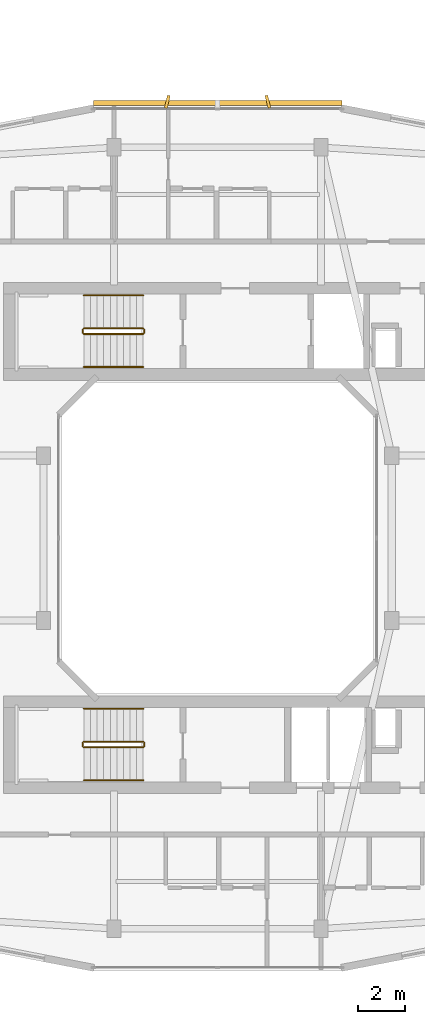
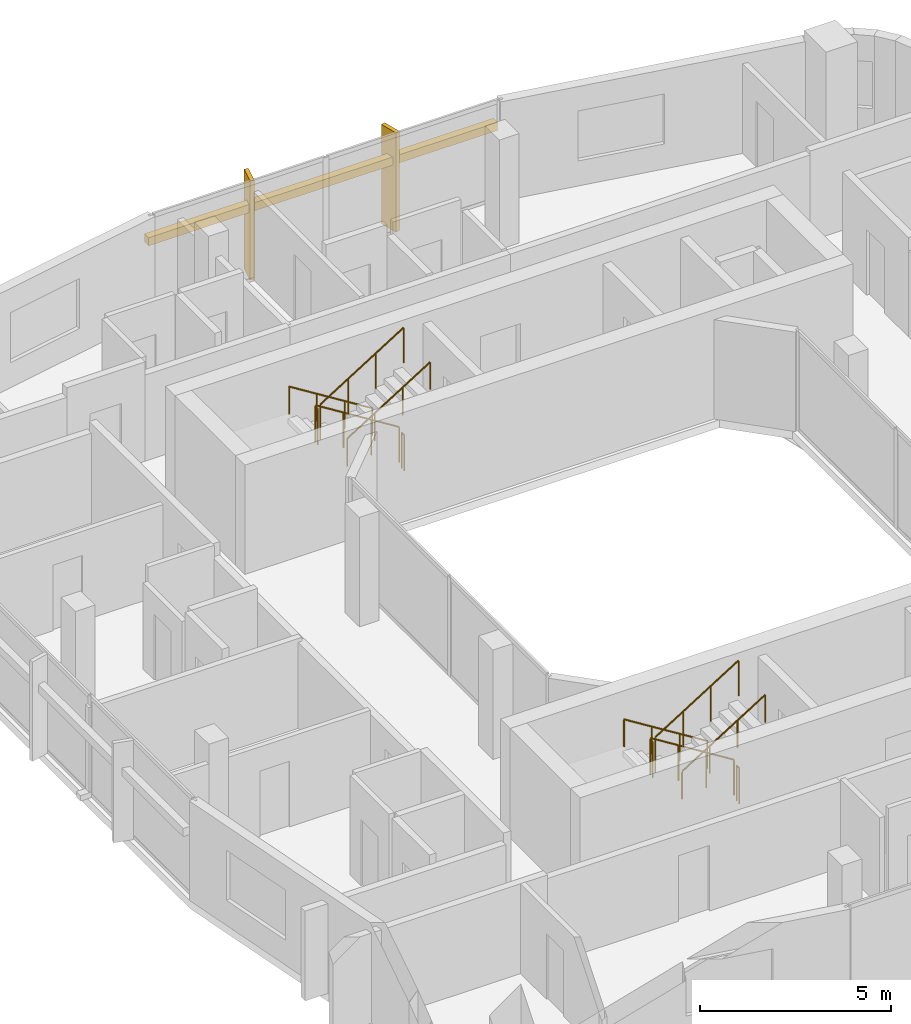
# One storey, part 25 of 25: 12 railings, 3 shading devices.
"""IFC4 building model written with IfcOpenShell, lengths in metres."""

from ifc_helpers import new_model, si_unit, derived_unit, direction, frame, origin, origin_2d, place, context, subcontext, project, spatial, rectangle, circle, extrude, material, type_object, element, save


model = new_model("IFC4")

# Units and contexts
model_context = context("Model", 3, precision=1e-05, world=origin(), true_north=direction((0.0, 1.0)))
body_context = subcontext(model_context, "Body", "Model", "MODEL_VIEW")
ifc_project = project(units=[si_unit("LENGTHUNIT", "METRE"), si_unit("AREAUNIT", "SQUARE_METRE"), si_unit("VOLUMEUNIT", "CUBIC_METRE"), si_unit("PLANEANGLEUNIT", "RADIAN"), si_unit("MASSUNIT", "GRAM", prefix="KILO"), derived_unit("THERMALTRANSMITTANCEUNIT", [(si_unit("POWERUNIT", "WATT"), 1), (si_unit("LENGTHUNIT", "METRE"), -2), (si_unit("THERMODYNAMICTEMPERATUREUNIT", "KELVIN"), -1)])], contexts=[model_context])

# Site, building, storey
site_placement = place(None, origin())
site = spatial("IfcSite", under=ifc_project, at=site_placement, CompositionType="ELEMENT")
building_placement = place(site_placement, origin())
building = spatial("IfcBuilding", under=site, at=building_placement, Name="Kivonza Crest Hotel", CompositionType="ELEMENT")
storey_placement = place(building_placement, frame((0.0, 0.0, 87.0)))
storey = spatial("IfcBuildingStorey", under=building, at=storey_placement, Name="L23", CompositionType="ELEMENT", Elevation=87.0)

# Railings
ifc_material_1 = material(Name="Brushed stainless steel handrail", Category="steel")
railing_type_1 = type_object("IfcRailingType", Name="RL-HAND-900", PredefinedType="HANDRAIL", material=ifc_material_1)
railing_1_placement = place(storey_placement, frame((73.840087890625, 35.31005859375, 0.175048828125)))
element("IfcRailing", 1, at=railing_1_placement, inside=storey, type_object=railing_type_1, Name="L23 ST-T2-N stair handrail 1", PredefinedType="HANDRAIL", context=body_context, shape_type="SweptSolid", body=[
    extrude(circle(Radius=0.02392578125, at=origin_2d()), frame((0.0, 0.0, 0.8759765625), z_axis=(-0.848007534815, 0.0, 0.529984170421), x_axis=(0.0, -1.0, 0.0)), (0.0, 0.0, 1.0), 2.9716796875),
    extrude(circle(Radius=0.02099609375, at=origin_2d()), origin(), (0.0, 0.0, 1.0), 0.851806640625),
    extrude(circle(Radius=0.02099609375, at=origin_2d()), frame((-0.840087890625, 0.0, 0.52490234375)), (0.0, 0.0, 1.0), 0.851806640625),
    extrude(circle(Radius=0.02099609375, at=origin_2d()), frame((-1.679931640625, 0.0, 1.050048828125)), (0.0, 0.0, 1.0), 0.851806640625),
    extrude(circle(Radius=0.02099609375, at=origin_2d()), frame((-2.52001953125, 0.0, 1.574951171875)), (0.0, 0.0, 1.0), 0.851806640625),
])
railing_2_placement = place(storey_placement, frame((71.320068359375, 32.27001953125, 1.925048828125)))
element("IfcRailing", 2, at=railing_2_placement, inside=storey, type_object=railing_type_1, Name="L23 ST-T2-N stair handrail 2", PredefinedType="HANDRAIL", context=body_context, shape_type="SweptSolid", body=[
    extrude(circle(Radius=0.02392578125, at=origin_2d()), frame((0.0, 0.0, 0.8759765625), z_axis=(0.848007534815, 0.0, 0.529984170421), x_axis=(0.0, 1.0, 0.0)), (0.0, 0.0, 1.0), 2.9716796875),
    extrude(circle(Radius=0.02099609375, at=origin_2d()), origin(), (0.0, 0.0, 1.0), 0.851806640625),
    extrude(circle(Radius=0.02099609375, at=origin_2d()), frame((0.840087890625, 0.0, 0.52490234375)), (0.0, 0.0, 1.0), 0.851806640625),
    extrude(circle(Radius=0.02099609375, at=origin_2d()), frame((1.679931640625, 0.0, 1.050048828125)), (0.0, 0.0, 1.0), 0.851806640625),
    extrude(circle(Radius=0.02099609375, at=origin_2d()), frame((2.52001953125, 0.0, 1.574951171875)), (0.0, 0.0, 1.0), 0.851806640625),
])
railing_3_placement = place(storey_placement, frame((73.840087890625, 17.75, 0.175048828125)))
element("IfcRailing", 3, at=railing_3_placement, inside=storey, type_object=railing_type_1, Name="L23 ST-T2-S stair handrail 1", PredefinedType="HANDRAIL", context=body_context, shape_type="SweptSolid", body=[
    extrude(circle(Radius=0.02392578125, at=origin_2d()), frame((0.0, 0.0, 0.8759765625), z_axis=(-0.848007534815, 0.0, 0.529984170421), x_axis=(0.0, -1.0, 0.0)), (0.0, 0.0, 1.0), 2.9716796875),
    extrude(circle(Radius=0.02099609375, at=origin_2d()), origin(), (0.0, 0.0, 1.0), 0.851806640625),
    extrude(circle(Radius=0.02099609375, at=origin_2d()), frame((-0.840087890625, 0.0, 0.52490234375)), (0.0, 0.0, 1.0), 0.851806640625),
    extrude(circle(Radius=0.02099609375, at=origin_2d()), frame((-1.679931640625, 0.0, 1.050048828125)), (0.0, 0.0, 1.0), 0.851806640625),
    extrude(circle(Radius=0.02099609375, at=origin_2d()), frame((-2.52001953125, 0.0, 1.574951171875)), (0.0, 0.0, 1.0), 0.851806640625),
])
railing_4_placement = place(storey_placement, frame((71.320068359375, 14.7099609375, 1.925048828125)))
element("IfcRailing", 4, at=railing_4_placement, inside=storey, type_object=railing_type_1, Name="L23 ST-T2-S stair handrail 2", PredefinedType="HANDRAIL", context=body_context, shape_type="SweptSolid", body=[
    extrude(circle(Radius=0.02392578125, at=origin_2d()), frame((0.0, 0.0, 0.8759765625), z_axis=(0.848007534815, 0.0, 0.529984170421), x_axis=(0.0, 1.0, 0.0)), (0.0, 0.0, 1.0), 2.9716796875),
    extrude(circle(Radius=0.02099609375, at=origin_2d()), origin(), (0.0, 0.0, 1.0), 0.851806640625),
    extrude(circle(Radius=0.02099609375, at=origin_2d()), frame((0.840087890625, 0.0, 0.52490234375)), (0.0, 0.0, 1.0), 0.851806640625),
    extrude(circle(Radius=0.02099609375, at=origin_2d()), frame((1.679931640625, 0.0, 1.050048828125)), (0.0, 0.0, 1.0), 0.851806640625),
    extrude(circle(Radius=0.02099609375, at=origin_2d()), frame((2.52001953125, 0.0, 1.574951171875)), (0.0, 0.0, 1.0), 0.851806640625),
])
ifc_material_2 = material(Name="Painted steel balustrade", Category="steel")
railing_type_2 = type_object("IfcRailingType", Name="RL-STAIR-1150", PredefinedType="BALUSTRADE", material=ifc_material_2)
railing_5_placement = place(storey_placement, frame((73.840087890625, 33.909912109375, 0.175048828125)))
element("IfcRailing", 5, at=railing_5_placement, inside=storey, type_object=railing_type_2, Name="L23 ST-T2-N stair guard 1", PredefinedType="BALUSTRADE", context=body_context, shape_type="SweptSolid", body=[
    extrude(circle(Radius=0.02392578125, at=origin_2d()), frame((0.0, 0.0, 1.1259765625), z_axis=(-0.848007534815, 0.0, 0.529984170421), x_axis=(0.0, -1.0, 0.0)), (0.0, 0.0, 1.0), 2.9716796875),
    extrude(circle(Radius=0.02099609375, at=origin_2d()), origin(), (0.0, 0.0, 1.0), 1.101806640625),
    extrude(circle(Radius=0.02099609375, at=origin_2d()), frame((-0.840087890625, 0.0, 0.52490234375)), (0.0, 0.0, 1.0), 1.101806640625),
    extrude(circle(Radius=0.02099609375, at=origin_2d()), frame((-1.679931640625, 0.0, 1.050048828125)), (0.0, 0.0, 1.0), 1.101806640625),
    extrude(circle(Radius=0.02099609375, at=origin_2d()), frame((-2.52001953125, 0.0, 1.574951171875)), (0.0, 0.0, 1.0), 1.101806640625),
])
railing_6_placement = place(storey_placement, frame((71.27001953125, 33.860107421875, 1.75)))
element("IfcRailing", 6, at=railing_6_placement, inside=storey, type_object=railing_type_2, Name="L23 ST-T2-N stair guard 2", PredefinedType="BALUSTRADE", context=body_context, shape_type="SweptSolid", body=[
    extrude(circle(Radius=0.02392578125, at=origin_2d()), frame((0.0, 0.0, 1.1259765625), z_axis=(0.0, -1.0, 0.0), x_axis=(1.0, 0.0, 0.0)), (0.0, 0.0, 1.0), 0.14013671875),
    extrude(circle(Radius=0.02099609375, at=origin_2d()), origin(), (0.0, 0.0, 1.0), 1.101806640625),
    extrude(circle(Radius=0.02099609375, at=origin_2d()), frame((0.0, -0.14013671875, 0.0)), (0.0, 0.0, 1.0), 1.101806640625),
])
railing_7_placement = place(storey_placement, frame((71.320068359375, 33.669921875, 1.925048828125)))
element("IfcRailing", 7, at=railing_7_placement, inside=storey, type_object=railing_type_2, Name="L23 ST-T2-N stair guard 3", PredefinedType="BALUSTRADE", context=body_context, shape_type="SweptSolid", body=[
    extrude(circle(Radius=0.02392578125, at=origin_2d()), frame((0.0, 0.0, 1.1259765625), z_axis=(0.848007534815, 0.0, 0.529984170421), x_axis=(0.0, 1.0, 0.0)), (0.0, 0.0, 1.0), 2.9716796875),
    extrude(circle(Radius=0.02099609375, at=origin_2d()), origin(), (0.0, 0.0, 1.0), 1.101806640625),
    extrude(circle(Radius=0.02099609375, at=origin_2d()), frame((0.840087890625, 0.0, 0.52490234375)), (0.0, 0.0, 1.0), 1.101806640625),
    extrude(circle(Radius=0.02099609375, at=origin_2d()), frame((1.679931640625, 0.0, 1.050048828125)), (0.0, 0.0, 1.0), 1.101806640625),
    extrude(circle(Radius=0.02099609375, at=origin_2d()), frame((2.52001953125, 0.0, 1.574951171875)), (0.0, 0.0, 1.0), 1.101806640625),
])
railing_8_placement = place(storey_placement, frame((73.889892578125, 33.860107421875, 0.0)))
element("IfcRailing", 8, at=railing_8_placement, inside=storey, type_object=railing_type_2, Name="L23 ST-T2-N stair guard 4", PredefinedType="BALUSTRADE", context=body_context, shape_type="SweptSolid", body=[
    extrude(circle(Radius=0.02392578125, at=origin_2d()), frame((0.0, 0.0, 1.1259765625), z_axis=(0.0, -1.0, 0.0), x_axis=(1.0, 0.0, 0.0)), (0.0, 0.0, 1.0), 0.14013671875),
    extrude(circle(Radius=0.02099609375, at=origin_2d()), origin(), (0.0, 0.0, 1.0), 1.101806640625),
    extrude(circle(Radius=0.02099609375, at=origin_2d()), frame((0.0, -0.14013671875, 0.0)), (0.0, 0.0, 1.0), 1.101806640625),
])
railing_9_placement = place(storey_placement, frame((73.840087890625, 16.35009765625, 0.175048828125)))
element("IfcRailing", 9, at=railing_9_placement, inside=storey, type_object=railing_type_2, Name="L23 ST-T2-S stair guard 1", PredefinedType="BALUSTRADE", context=body_context, shape_type="SweptSolid", body=[
    extrude(circle(Radius=0.02392578125, at=origin_2d()), frame((0.0, 0.0, 1.1259765625), z_axis=(-0.848007534815, 0.0, 0.529984170421), x_axis=(0.0, -1.0, 0.0)), (0.0, 0.0, 1.0), 2.9716796875),
    extrude(circle(Radius=0.02099609375, at=origin_2d()), origin(), (0.0, 0.0, 1.0), 1.101806640625),
    extrude(circle(Radius=0.02099609375, at=origin_2d()), frame((-0.840087890625, 0.0, 0.52490234375)), (0.0, 0.0, 1.0), 1.101806640625),
    extrude(circle(Radius=0.02099609375, at=origin_2d()), frame((-1.679931640625, 0.0, 1.050048828125)), (0.0, 0.0, 1.0), 1.101806640625),
    extrude(circle(Radius=0.02099609375, at=origin_2d()), frame((-2.52001953125, 0.0, 1.574951171875)), (0.0, 0.0, 1.0), 1.101806640625),
])
railing_10_placement = place(storey_placement, frame((71.27001953125, 16.300048828125, 1.75)))
element("IfcRailing", 10, at=railing_10_placement, inside=storey, type_object=railing_type_2, Name="L23 ST-T2-S stair guard 2", PredefinedType="BALUSTRADE", context=body_context, shape_type="SweptSolid", body=[
    extrude(circle(Radius=0.02392578125, at=origin_2d()), frame((0.0, 0.0, 1.1259765625), z_axis=(0.0, -1.0, 0.0), x_axis=(1.0, 0.0, 0.0)), (0.0, 0.0, 1.0), 0.14013671875),
    extrude(circle(Radius=0.02099609375, at=origin_2d()), origin(), (0.0, 0.0, 1.0), 1.101806640625),
    extrude(circle(Radius=0.02099609375, at=origin_2d()), frame((0.0, -0.14013671875, 0.0)), (0.0, 0.0, 1.0), 1.101806640625),
])
railing_11_placement = place(storey_placement, frame((71.320068359375, 16.110107421875, 1.925048828125)))
element("IfcRailing", 11, at=railing_11_placement, inside=storey, type_object=railing_type_2, Name="L23 ST-T2-S stair guard 3", PredefinedType="BALUSTRADE", context=body_context, shape_type="SweptSolid", body=[
    extrude(circle(Radius=0.02392578125, at=origin_2d()), frame((0.0, 0.0, 1.1259765625), z_axis=(0.848007534815, 0.0, 0.529984170421), x_axis=(0.0, 1.0, 0.0)), (0.0, 0.0, 1.0), 2.9716796875),
    extrude(circle(Radius=0.02099609375, at=origin_2d()), origin(), (0.0, 0.0, 1.0), 1.101806640625),
    extrude(circle(Radius=0.02099609375, at=origin_2d()), frame((0.840087890625, 0.0, 0.52490234375)), (0.0, 0.0, 1.0), 1.101806640625),
    extrude(circle(Radius=0.02099609375, at=origin_2d()), frame((1.679931640625, 0.0, 1.050048828125)), (0.0, 0.0, 1.0), 1.101806640625),
    extrude(circle(Radius=0.02099609375, at=origin_2d()), frame((2.52001953125, 0.0, 1.574951171875)), (0.0, 0.0, 1.0), 1.101806640625),
])
railing_12_placement = place(storey_placement, frame((73.889892578125, 16.300048828125, 0.0)))
element("IfcRailing", 12, at=railing_12_placement, inside=storey, type_object=railing_type_2, Name="L23 ST-T2-S stair guard 4", PredefinedType="BALUSTRADE", context=body_context, shape_type="SweptSolid", body=[
    extrude(circle(Radius=0.02392578125, at=origin_2d()), frame((0.0, 0.0, 1.1259765625), z_axis=(0.0, -1.0, 0.0), x_axis=(1.0, 0.0, 0.0)), (0.0, 0.0, 1.0), 0.14013671875),
    extrude(circle(Radius=0.02099609375, at=origin_2d()), origin(), (0.0, 0.0, 1.0), 1.101806640625),
    extrude(circle(Radius=0.02099609375, at=origin_2d()), frame((0.0, -0.14013671875, 0.0)), (0.0, 0.0, 1.0), 1.101806640625),
])

# Shading devices
ifc_material_3 = material(Name="Kiln-fired Nairobi red-ochre terracotta", Category="masonry")
shading_device_type_1 = type_object("IfcShadingDeviceType", Name="SH-BAGUETTE-300", PredefinedType="USERDEFINED", material=ifc_material_3)
shading_device_placement = place(storey_placement, frame((77.0, 43.47998046875, 2.09619140625), z_axis=(0.0, 0.0, 1.0), x_axis=(-1.0, 0.0, 0.0)))
element("IfcShadingDevice", 13, at=shading_device_placement, inside=storey, type_object=shading_device_type_1, Name="L23 terracotta baguette screen CW-T2-L23-26", ObjectType="BAGUETTE", PredefinedType="USERDEFINED", context=body_context, shape_type="SweptSolid", body=[
    extrude(rectangle(XDim=10.56005859375, YDim=0.219970703125, at=origin_2d()), origin(), (0.0, 0.0, 1.0), 0.260009765625),
])
ifc_material_4 = material(Name="Kiln-fired terracotta over extruded aluminium spine", Category="masonry")
shading_device_type_2 = type_object("IfcShadingDeviceType", Name="SH-FIN-550", PredefinedType="USERDEFINED", material=ifc_material_4)
for number, where, z_axis, x_axis, name in (
    (14, (79.135986328125, 43.5400390625, 0.0), (0.0, 0.0, 1.0), (-0.970295726276, -0.2419218956, 0.0), "L23 vertical solar shading fin CW-T2-L23-26-1"),
    (15, (74.864013671875, 43.5400390625, 0.0), (0.0, 0.0, 1.0), (-0.970295726276, 0.2419218956, 0.0), "L23 vertical solar shading fin CW-T2-L23-26-2"),
):
    element("IfcShadingDevice", number, at=place(storey_placement, frame(where, z_axis=z_axis, x_axis=x_axis)), inside=storey, type_object=shading_device_type_2, Name=name, ObjectType="FIN", PredefinedType="USERDEFINED", context=body_context, shape_type="SweptSolid", body=[
        extrude(rectangle(XDim=0.1201171875, YDim=0.550048828125, at=origin_2d()), origin(), (0.0, 0.0, 1.0), 3.179931640625),
    ])

save(model, "model.ifc")
